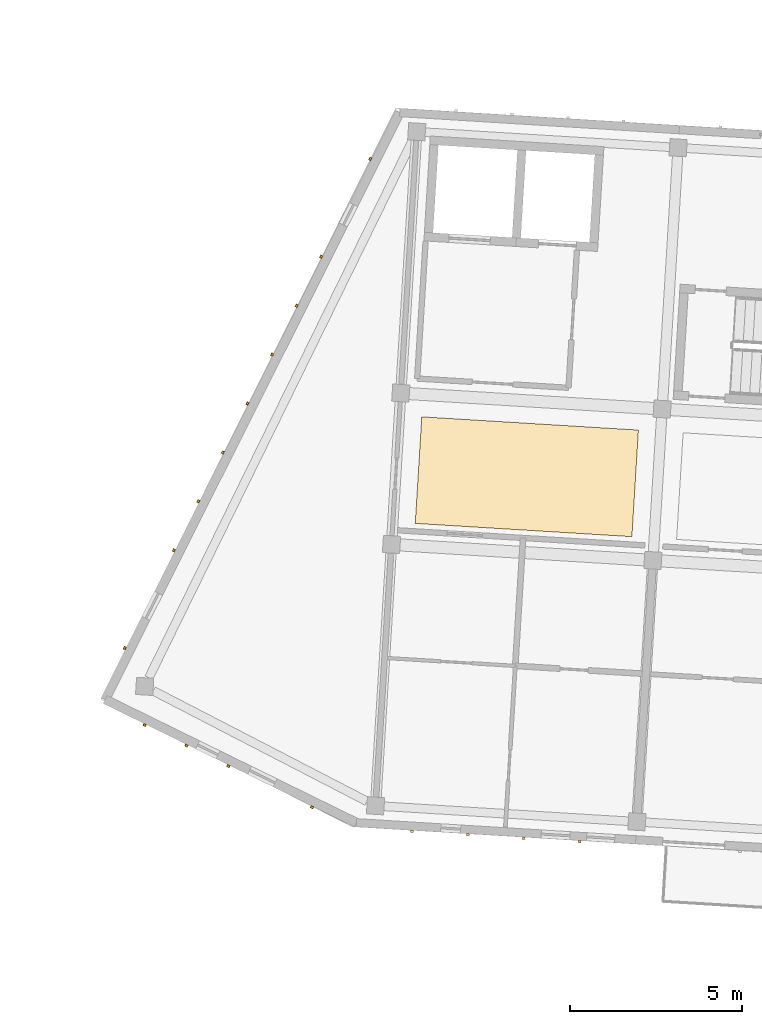
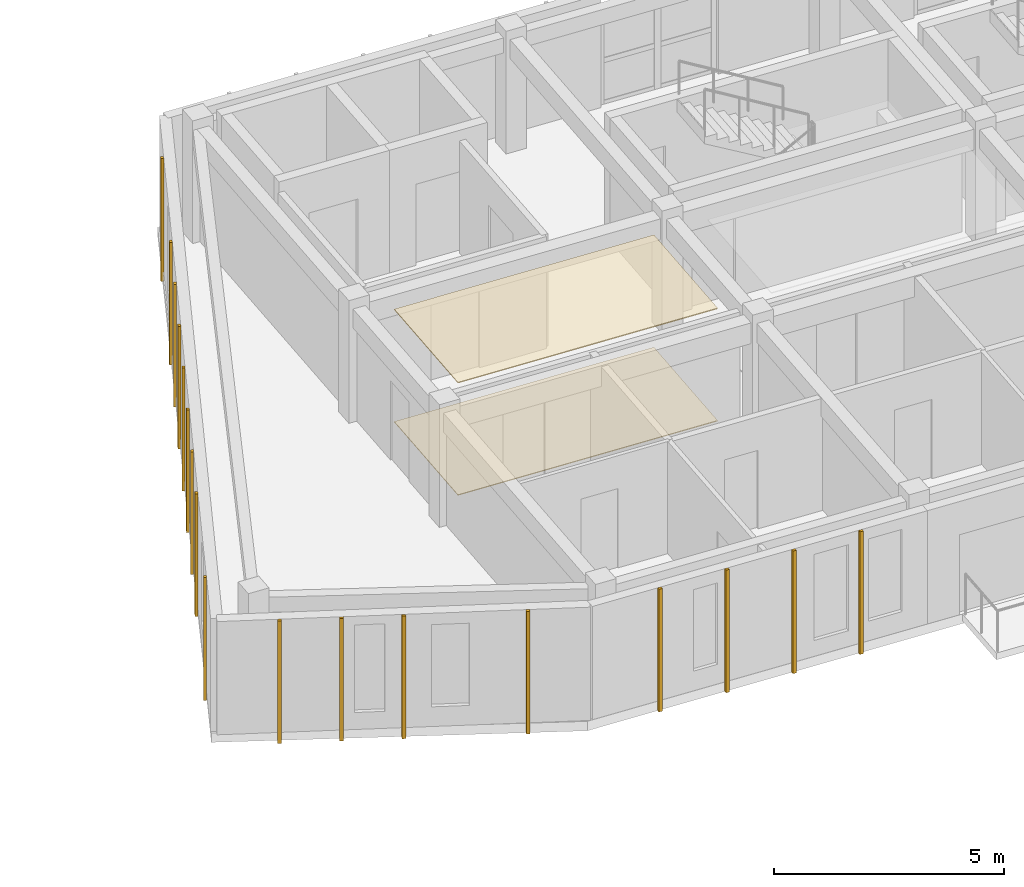
# One storey, part 42 of 68: 19 coverings.
"""IFC4 building model written with IfcOpenShell, lengths in metres."""

from ifc_helpers import new_model, si_unit, direction, frame, origin, origin_2d, place, context, subcontext, project, spatial, polyline, rectangle, outline, extrude, material, layer, layer_set, type_object, element, save


model = new_model("IFC4")

# Units and contexts
model_context = context("Model", 3, precision=1e-05, world=origin(), true_north=direction((0.0, 1.0)))
body_context = subcontext(model_context, "Body", "Model", "MODEL_VIEW")
ifc_project = project(units=[si_unit("LENGTHUNIT", "METRE"), si_unit("AREAUNIT", "SQUARE_METRE"), si_unit("VOLUMEUNIT", "CUBIC_METRE"), si_unit("PLANEANGLEUNIT", "RADIAN"), si_unit("MASSUNIT", "GRAM", prefix="KILO")], contexts=[model_context])

# Site, building, storey
site_placement = place(None, origin())
site = spatial("IfcSite", under=ifc_project, at=site_placement, CompositionType="ELEMENT")
building_placement = place(site_placement, origin())
building = spatial("IfcBuilding", under=site, at=building_placement, Name="Kestramere Prow Commons", CompositionType="ELEMENT")
storey_placement = place(building_placement, frame((0.0, 0.0, 18.14990234375)))
storey = spatial("IfcBuildingStorey", under=building, at=storey_placement, Name="L05", CompositionType="ELEMENT", Elevation=18.14990234375)

# Coverings
ifc_material_1 = material(Name="Mineral Fibre Acoustic Ceiling Tile")
ifc_layer_1 = layer(ifc_material_1, 0.02490234375)
ifc_layer_set_1 = layer_set([ifc_layer_1], Name="Mineral Fibre Acoustic Ceiling Tile")
covering_type_1 = type_object("IfcCoveringType", Name="COV-CEIL-ACOUSTIC", PredefinedType="CEILING", material=ifc_layer_set_1)
covering_1_placement = place(storey_placement, frame((0.0, 0.0, 2.97509765625)))
element("IfcCovering", 1, at=covering_1_placement, inside=storey, type_object=covering_type_1, Name="Block C L05 Corridor Acoustic Ceiling 1", PredefinedType="CEILING", context=body_context, shape_type="SweptSolid", body=[
    extrude(outline(polyline([(60.65234375, 54.69482421875), (66.940673828125, 54.310302734375), (67.1298828125, 57.404541015625), (60.841796875, 57.7890625), (60.65234375, 54.69482421875)])), origin(), (0.0, 0.0, 1.0), 0.02490234375),
])
ifc_material_2 = material(Name="Weathered Zinc-Titanium Standing-Seam Cladding")
ifc_layer_2 = layer(ifc_material_2, 0.074951171875)
ifc_layer_set_2 = layer_set([ifc_layer_2], Name="Weathered Zinc-Titanium Standing-Seam Cladding")
covering_type_2 = type_object("IfcCoveringType", Name="COV-CLAD-SEAM", PredefinedType="CLADDING", material=ifc_layer_set_2)
for number, where, z_axis, x_axis, name in (
    (2, (65.422607421875, 45.458984375, -0.25), (0.0, 0.0, 1.0), (-0.998134798422, 0.061048539535, 0.0), "EW-C-L05-S-0 Standing-Seam Rib 1"),
    (3, (63.800537109375, 45.55810546875, -0.25), (0.0, 0.0, 1.0), (-0.998134798422, 0.061048539535, 0.0), "EW-C-L05-S-0 Standing-Seam Rib 2"),
    (4, (62.178466796875, 45.657470703125, -0.25), (0.0, 0.0, 1.0), (-0.998134798422, 0.061048539535, 0.0), "EW-C-L05-S-0 Standing-Seam Rib 3"),
    (5, (60.556640625, 45.756591796875, -0.25), (0.0, 0.0, 1.0), (-0.998134798422, 0.061048539535, 0.0), "EW-C-L05-S-0 Standing-Seam Rib 4"),
    (6, (57.6572265625, 46.458251953125, -0.25), (0.0, 0.0, 1.0), (-0.897770965065, 0.440462591245, 0.0), "EW-C-L05-PRW-S Standing-Seam Rib 1"),
    (7, (55.227294921875, 47.650390625, -0.25), (0.0, 0.0, 1.0), (-0.897770965065, 0.440462591245, 0.0), "EW-C-L05-PRW-S Standing-Seam Rib 3"),
    (8, (54.01220703125, 48.24658203125, -0.25), (0.0, 0.0, 1.0), (-0.897770965065, 0.440462591245, 0.0), "EW-C-L05-PRW-S Standing-Seam Rib 4"),
    (9, (52.797119140625, 48.8427734375, -0.25), (0.0, 0.0, 1.0), (-0.897770965065, 0.440462591245, 0.0), "EW-C-L05-PRW-S Standing-Seam Rib 5"),
    (10, (52.220947265625, 51.0771484375, -0.25), (0.0, 0.0, 1.0), (0.448620327542, 0.893722441095, 0.0), "EW-C-L05-PRW-N Standing-Seam Rib 1"),
    (11, (53.646240234375, 53.916259765625, -0.25), (0.0, 0.0, 1.0), (0.448620327542, 0.893722441095, 0.0), "EW-C-L05-PRW-N Standing-Seam Rib 3"),
    (12, (54.358642578125, 55.3359375, -0.25), (0.0, 0.0, 1.0), (0.448620327542, 0.893722441095, 0.0), "EW-C-L05-PRW-N Standing-Seam Rib 4"),
    (13, (55.0712890625, 56.75537109375, -0.25), (0.0, 0.0, 1.0), (0.448620327542, 0.893722441095, 0.0), "EW-C-L05-PRW-N Standing-Seam Rib 5"),
    (14, (55.783935546875, 58.175048828125, -0.25), (0.0, 0.0, 1.0), (0.448620327542, 0.893722441095, 0.0), "EW-C-L05-PRW-N Standing-Seam Rib 6"),
    (15, (56.49658203125, 59.594482421875, -0.25), (0.0, 0.0, 1.0), (0.448620327542, 0.893722441095, 0.0), "EW-C-L05-PRW-N Standing-Seam Rib 7"),
    (16, (57.208984375, 61.01416015625, -0.25), (0.0, 0.0, 1.0), (0.448620327542, 0.893722441095, 0.0), "EW-C-L05-PRW-N Standing-Seam Rib 8"),
    (17, (57.921630859375, 62.433837890625, -0.25), (0.0, 0.0, 1.0), (0.448620327542, 0.893722441095, 0.0), "EW-C-L05-PRW-N Standing-Seam Rib 9"),
    (18, (59.3466796875, 65.27294921875, -0.25), (0.0, 0.0, 1.0), (0.448620327542, 0.893722441095, 0.0), "EW-C-L05-PRW-N Standing-Seam Rib 11"),
):
    element("IfcCovering", number, at=place(storey_placement, frame(where, z_axis=z_axis, x_axis=x_axis)), inside=storey, type_object=covering_type_2, Name=name, PredefinedType="CLADDING", context=body_context, shape_type="SweptSolid", body=[
        extrude(rectangle(XDim=0.0849609375, YDim=0.06494140625, at=origin_2d()), origin(), (0.0, 0.0, 1.0), 3.25),
    ])
ifc_material_3 = material(Name="Honed Cementitious Terrazzo Tile")
ifc_layer_3 = layer(ifc_material_3, 0.02001953125)
ifc_layer_set_3 = layer_set([ifc_layer_3], Name="Honed Cementitious Terrazzo Tile")
covering_type_3 = type_object("IfcCoveringType", Name="COV-FLOOR-TERRAZZO", PredefinedType="FLOORING", material=ifc_layer_set_3)
covering_2_placement = place(storey_placement, origin())
element("IfcCovering", 19, at=covering_2_placement, inside=storey, type_object=covering_type_3, Name="Block C L05 Corridor Terrazzo Flooring 1", PredefinedType="FLOORING", context=body_context, shape_type="SweptSolid", body=[
    extrude(outline(polyline([(60.65234375, 54.69482421875), (66.940673828125, 54.310302734375), (67.1298828125, 57.404541015625), (60.841796875, 57.7890625), (60.65234375, 54.69482421875)])), origin(), (0.0, 0.0, 1.0), 0.02001953125),
])

save(model, "model.ifc")
